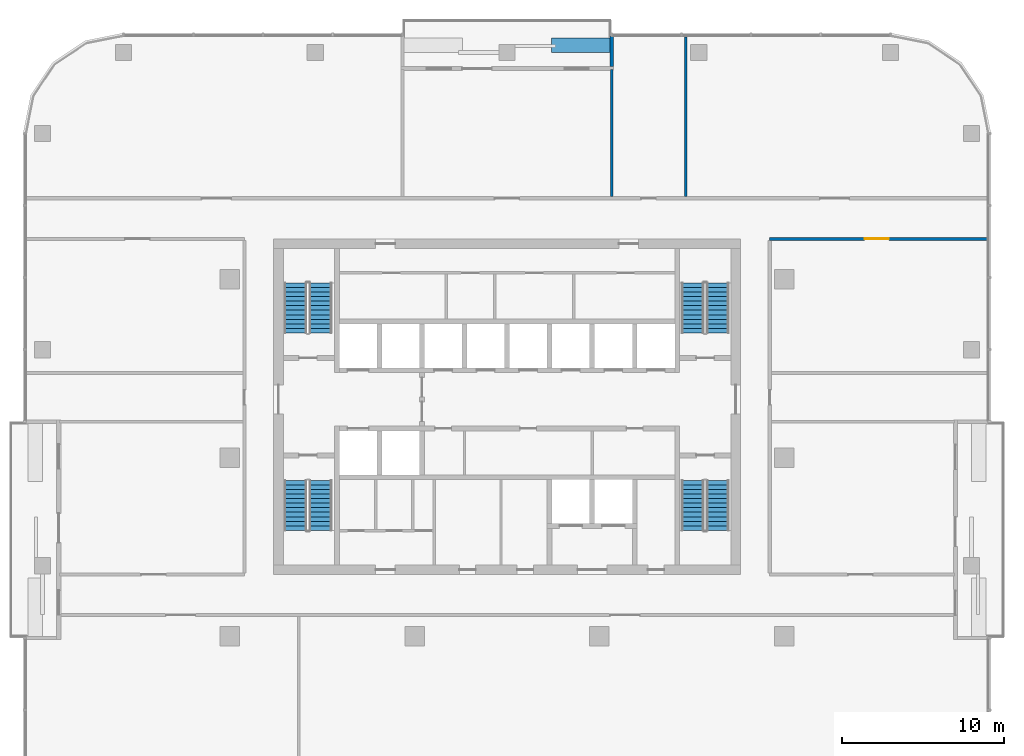
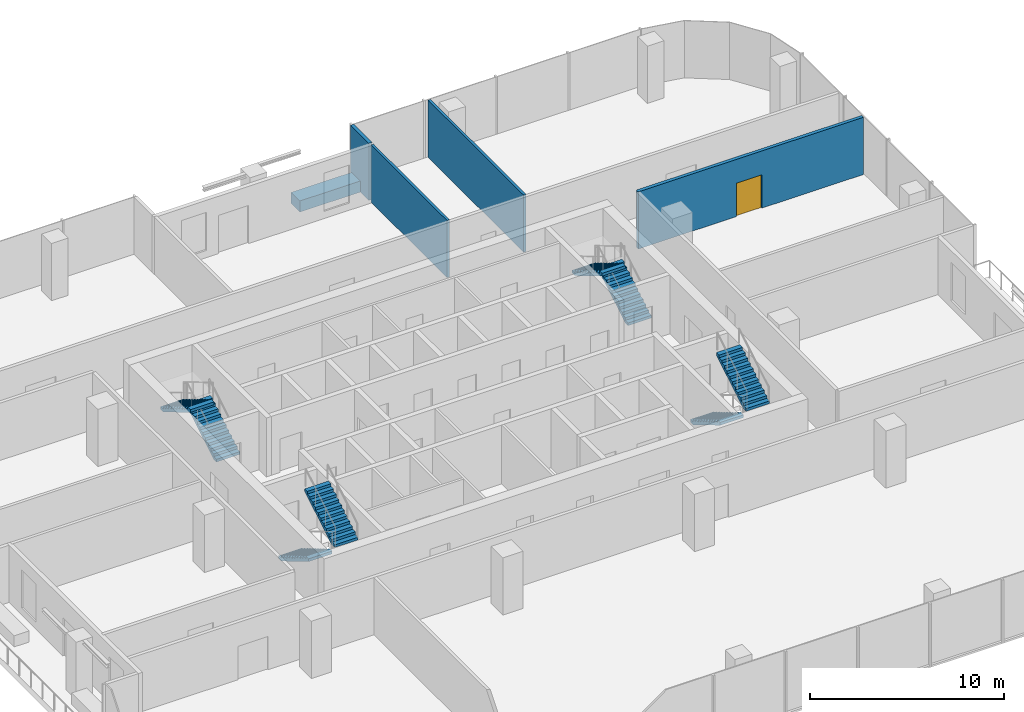
# One storey, part 10 of 13: 8 stair flights, 5 walls, 1 door, 1 opening, 4 elements without a shape of their own.
"""IFC4 building model written with IfcOpenShell, lengths in metres."""

from ifc_helpers import new_model, si_unit, direction, frame, frame_2d, origin, place, context, subcontext, project, spatial, polyline, rectangle, outline, extrude, material, layer, layer_set, type_object, element, fill, aggregate, save


model = new_model("IFC4")

# Units and contexts
model_context = context("Model", 3, precision=1e-05, world=origin(), true_north=direction((0.0, 1.0)))
body_context = subcontext(model_context, "Body", "Model", "MODEL_VIEW")
ifc_project = project(units=[si_unit("LENGTHUNIT", "METRE"), si_unit("AREAUNIT", "SQUARE_METRE"), si_unit("VOLUMEUNIT", "CUBIC_METRE"), si_unit("PLANEANGLEUNIT", "RADIAN"), si_unit("MASSUNIT", "GRAM", prefix="KILO")], contexts=[model_context])

# Site, building, storey
site_placement = place(None, origin())
site = spatial("IfcSite", under=ifc_project, at=site_placement, CompositionType="ELEMENT")
building_placement = place(site_placement, origin())
building = spatial("IfcBuilding", under=site, at=building_placement, Name="Mopane Tessera Tower", CompositionType="ELEMENT")
storey_placement = place(building_placement, frame((0.0, 0.0, 283.39990234375)))
storey = spatial("IfcBuildingStorey", under=building, at=storey_placement, Name="L61", CompositionType="ELEMENT", Elevation=283.39990234375)

# Wall, opening, door
ifc_material_1 = material(Name="Gypsum board on steel studs, two layers each face, mineral wool infill", Category="steel")
ifc_layer_1 = layer(ifc_material_1, 0.199951171875)
ifc_layer_set_1 = layer_set([ifc_layer_1], Name="Gypsum board on steel studs, two layers each face, mineral wool infill")
wall_type_1 = type_object("IfcWallType", Name="Gypsum board corridor wall 200, rated EI 60", PredefinedType="PARTITIONING", material=ifc_layer_set_1)
wall_1_placement = place(storey_placement, frame((16.199951171875, 13.5, 0.0), z_axis=(0.0, 0.0, 1.0), x_axis=(1.0, 0.0, 0.0)))
wall_1 = element("IfcWall", 1, at=wall_1_placement, inside=storey, type_object=wall_type_1, Name="Partition L61:008", PredefinedType="PARTITIONING", context=body_context, shape_type="SweptSolid", body=[
    extrude(rectangle(XDim=13.400146484375, YDim=0.199951171875, at=frame_2d((6.7001953125, 0.0))), origin(), (0.0, 0.0, 1.0), 3.60009765625),
])
opening_placement = place(wall_1_placement, frame((5.85009765625, 0.0, 0.0)))
opening = element("IfcOpeningElement", 2, at=opening_placement, cuts=wall_1, Name="Opening L61-05", PredefinedType="OPENING", context=body_context, shape_type="SweptSolid", body=[
    extrude(rectangle(XDim=1.5, YDim=2.10009765625, at=frame_2d((0.75, 1.050048828125))), frame((0.0, 0.112060546875, 0.0), z_axis=(0.0, -1.0, 0.0), x_axis=(1.0, 0.0, 0.0)), (0.0, 0.0, 1.0), 0.223876953125),
])
ifc_material_2 = material(Name="Timber veneered steel-framed fire door", Category="steel")
door_type = type_object("IfcDoorType", Name="Fire door pair FD60 1500 x 2100", OperationType="DOUBLE_DOOR_SINGLE_SWING", PredefinedType="DOOR", material=ifc_material_2)
door_placement = place(opening_placement, origin())
door = element("IfcDoor", 3, at=door_placement, inside=storey, type_object=door_type, Name="Door L61-05", ObjectType="D17A", OperationType="DOUBLE_DOOR_SINGLE_SWING", OverallHeight=2.10009765625, OverallWidth=1.5, PredefinedType="DOOR", context=body_context, shape_type="SweptSolid", body=[
    extrude(rectangle(XDim=1.5, YDim=2.10009765625, at=frame_2d((0.75, 1.050048828125))), frame((0.0, 0.02490234375, 0.0), z_axis=(0.0, -1.0, 0.0), x_axis=(1.0, 0.0, 0.0)), (0.0, 0.0, 1.0), 0.050048828125),
])
fill(opening, door)

# Walls
ifc_material_3 = material(Name="Gypsum board on steel studs, mineral wool infill", Category="steel")
ifc_layer_2 = layer(ifc_material_3, 0.14990234375)
ifc_layer_set_2 = layer_set([ifc_layer_2], Name="Gypsum board on steel studs, mineral wool infill")
wall_type_2 = type_object("IfcWallType", Name="Gypsum board partition 150, rated EI 60", PredefinedType="PARTITIONING", material=ifc_layer_set_2)
wall_2_placement = place(storey_placement, frame((6.449951171875, 16.10009765625, 0.0), z_axis=(0.0, 0.0, 1.0), x_axis=(0.0, 1.0, 0.0)))
element("IfcWall", 4, at=wall_2_placement, inside=storey, type_object=wall_type_2, Name="Partition L61:013", PredefinedType="PARTITIONING", context=body_context, shape_type="SweptSolid", body=[
    extrude(rectangle(XDim=7.849853515625, YDim=0.14990234375, at=frame_2d((3.9248046875, 0.0))), origin(), (0.0, 0.0, 1.0), 3.60009765625),
])
wall_3_placement = place(storey_placement, frame((11.010009765625, 16.10009765625, 0.0), z_axis=(0.0, 0.0, 1.0), x_axis=(0.0, 1.0, 0.0)))
element("IfcWall", 5, at=wall_3_placement, inside=storey, type_object=wall_type_2, Name="Partition L61:014", PredefinedType="PARTITIONING", context=body_context, shape_type="SweptSolid", body=[
    extrude(rectangle(XDim=9.849853515625, YDim=0.14990234375, at=frame_2d((4.9248046875, 0.0))), origin(), (0.0, 0.0, 1.0), 3.60009765625),
])
ifc_material_4 = material(Name="Reinforced concrete C32/40 with waterproofing", Category="concrete")
ifc_layer_3 = layer(ifc_material_4, 0.89990234375)
ifc_layer_set_3 = layer_set([ifc_layer_3], Name="Reinforced concrete C32/40 with waterproofing")
wall_type_3 = type_object("IfcWallType", Name="Planter trough 3600 x 900", PredefinedType="STANDARD", material=ifc_layer_set_3)
wall_4_placement = place(storey_placement, frame((6.35009765625, 25.449951171875, 0.0), z_axis=(0.0, 0.0, 1.0), x_axis=(-1.0, 0.0, 0.0)))
element("IfcWall", 6, at=wall_4_placement, inside=storey, type_object=wall_type_3, Name="e:nw:L61:N2:pl0", PredefinedType="STANDARD", context=body_context, shape_type="SweptSolid", body=[
    extrude(rectangle(XDim=3.60009765625, YDim=0.89990234375, at=frame_2d((1.800048828125, 0.0))), origin(), (0.0, 0.0, 1.0), 0.7001953125),
])
ifc_material_5 = material(Name="Blockwork with glazed tile facing", Category="masonry")
ifc_layer_4 = layer(ifc_material_5, 0.199951171875)
ifc_layer_set_4 = layer_set([ifc_layer_4], Name="Blockwork with glazed tile facing")
wall_type_4 = type_object("IfcWallType", Name="Terrace cheek wall 200", PredefinedType="STANDARD", material=ifc_layer_set_4)
wall_5_placement = place(storey_placement, frame((6.449951171875, 26.0, 0.0), z_axis=(0.0, 0.0, 1.0), x_axis=(0.0, -1.0, 0.0)))
element("IfcWall", 7, at=wall_5_placement, inside=storey, type_object=wall_type_4, Name="e:nw:L61:N2:cheeka", PredefinedType="STANDARD", context=body_context, shape_type="SweptSolid", body=[
    extrude(rectangle(XDim=1.875, YDim=0.199951171875, at=frame_2d((0.9375, 0.0))), origin(), (0.0, 0.0, 1.0), 3.60009765625),
])

# Stair, stair flights
ifc_material_6 = material(Name="Concrete C50/60", Category="concrete")
stair_type = type_object("IfcStairType", Name="Escape stair 1400 mm, riser 167 mm", PredefinedType="HALF_TURN_STAIR", material=ifc_material_6)
stair_1_placement = place(storey_placement, origin())
stair_1 = element("IfcStair", 8, at=stair_1_placement, inside=storey, type_object=stair_type, Name="L61 Escape stair south-west", PredefinedType="HALF_TURN_STAIR")
ifc_material_7 = material(Name="Concrete C50/60", Category="concrete")
stair_flight_type = type_object("IfcStairFlightType", Name="Escape stair flight 1400 mm", PredefinedType="STRAIGHT", material=ifc_material_7)
stair_flight_1_placement = place(storey_placement, frame((-13.050048828125, -1.39990234375, 0.0), z_axis=(0.0, 0.0, 1.0), x_axis=(0.0, -1.0, 0.0)))
stair_flight_1 = element("IfcStairFlight", 9, at=stair_flight_1_placement, type_object=stair_flight_type, Name="ST1 flight 1", NumberOfRisers=12, NumberOfTreads=11, PredefinedType="STRAIGHT", RiserHeight=0.166666667, TreadLength=0.28, context=body_context, shape_type="SweptSolid", body=[
    extrude(outline(polyline([(0.0, 0.0), (0.0, 0.166748046875), (0.280029296875, 0.166748046875), (0.280029296875, 0.333251953125), (0.56005859375, 0.333251953125), (0.56005859375, 0.5), (0.840087890625, 0.5), (0.840087890625, 0.666748046875), (1.1201171875, 0.666748046875), (1.1201171875, 0.833251953125), (1.39990234375, 0.833251953125), (1.39990234375, 1.0), (1.679931640625, 1.0), (1.679931640625, 1.166748046875), (1.9599609375, 1.166748046875), (1.9599609375, 1.333251953125), (2.239990234375, 1.333251953125), (2.239990234375, 1.5), (2.52001953125, 1.5), (2.52001953125, 1.666748046875), (2.800048828125, 1.666748046875), (2.800048828125, 1.833251953125), (3.080078125, 1.833251953125), (3.080078125, 2.0), (3.080078125, 1.658935546875), (0.29296875, 0.0), (0.0, 0.0)])), frame((0.0, 0.699951171875, 0.0), z_axis=(0.0, -1.0, 0.0), x_axis=(1.0, 0.0, 0.0)), (0.0, 0.0, 1.0), 1.39990234375),
])
stair_flight_2_placement = place(storey_placement, frame((-11.5, -4.47998046875, 2.0), z_axis=(0.0, 0.0, 1.0), x_axis=(0.0, 1.0, 0.0)))
stair_flight_2 = element("IfcStairFlight", 10, at=stair_flight_2_placement, type_object=stair_flight_type, Name="ST1 flight 2", NumberOfRisers=12, NumberOfTreads=11, PredefinedType="STRAIGHT", RiserHeight=0.166666667, TreadLength=0.28, context=body_context, shape_type="SweptSolid", body=[
    extrude(outline(polyline([(0.0, 0.0), (0.0, 0.166748046875), (0.280029296875, 0.166748046875), (0.280029296875, 0.333251953125), (0.56005859375, 0.333251953125), (0.56005859375, 0.5), (0.840087890625, 0.5), (0.840087890625, 0.666748046875), (1.1201171875, 0.666748046875), (1.1201171875, 0.833251953125), (1.39990234375, 0.833251953125), (1.39990234375, 1.0), (1.679931640625, 1.0), (1.679931640625, 1.166748046875), (1.9599609375, 1.166748046875), (1.9599609375, 1.333251953125), (2.239990234375, 1.333251953125), (2.239990234375, 1.5), (2.52001953125, 1.5), (2.52001953125, 1.666748046875), (2.800048828125, 1.666748046875), (2.800048828125, 1.833251953125), (3.080078125, 1.833251953125), (3.080078125, 2.0), (3.080078125, 1.658935546875), (0.29296875, 0.0), (0.0, 0.0)])), frame((0.0, 0.699951171875, 0.0), z_axis=(0.0, -1.0, 0.0), x_axis=(1.0, 0.0, 0.0)), (0.0, 0.0, 1.0), 1.39990234375),
])
aggregate(stair_1, [stair_flight_1, stair_flight_2])

stair_2_placement = place(storey_placement, origin())
stair_2 = element("IfcStair", 11, at=stair_2_placement, inside=storey, type_object=stair_type, Name="L61 Escape stair north-west", PredefinedType="HALF_TURN_STAIR")
stair_flight_3_placement = place(storey_placement, frame((-11.5, 7.699951171875, 0.0), z_axis=(0.0, 0.0, 1.0), x_axis=(0.0, 1.0, 0.0)))
stair_flight_3 = element("IfcStairFlight", 12, at=stair_flight_3_placement, type_object=stair_flight_type, Name="ST2 flight 1", NumberOfRisers=12, NumberOfTreads=11, PredefinedType="STRAIGHT", RiserHeight=0.166666667, TreadLength=0.28, context=body_context, shape_type="SweptSolid", body=[
    extrude(outline(polyline([(0.0, 0.0), (0.0, 0.166748046875), (0.280029296875, 0.166748046875), (0.280029296875, 0.333251953125), (0.56005859375, 0.333251953125), (0.56005859375, 0.5), (0.840087890625, 0.5), (0.840087890625, 0.666748046875), (1.1201171875, 0.666748046875), (1.1201171875, 0.833251953125), (1.39990234375, 0.833251953125), (1.39990234375, 1.0), (1.679931640625, 1.0), (1.679931640625, 1.166748046875), (1.9599609375, 1.166748046875), (1.9599609375, 1.333251953125), (2.239990234375, 1.333251953125), (2.239990234375, 1.5), (2.52001953125, 1.5), (2.52001953125, 1.666748046875), (2.800048828125, 1.666748046875), (2.800048828125, 1.833251953125), (3.080078125, 1.833251953125), (3.080078125, 2.0), (3.080078125, 1.658935546875), (0.29296875, 0.0), (0.0, 0.0)])), frame((0.0, 0.699951171875, 0.0), z_axis=(0.0, -1.0, 0.0), x_axis=(1.0, 0.0, 0.0)), (0.0, 0.0, 1.0), 1.39990234375),
])
stair_flight_4_placement = place(storey_placement, frame((-13.050048828125, 10.780029296875, 2.0), z_axis=(0.0, 0.0, 1.0), x_axis=(0.0, -1.0, 0.0)))
stair_flight_4 = element("IfcStairFlight", 13, at=stair_flight_4_placement, type_object=stair_flight_type, Name="ST2 flight 2", NumberOfRisers=12, NumberOfTreads=11, PredefinedType="STRAIGHT", RiserHeight=0.166666667, TreadLength=0.28, context=body_context, shape_type="SweptSolid", body=[
    extrude(outline(polyline([(0.0, 0.0), (0.0, 0.166748046875), (0.280029296875, 0.166748046875), (0.280029296875, 0.333251953125), (0.56005859375, 0.333251953125), (0.56005859375, 0.5), (0.840087890625, 0.5), (0.840087890625, 0.666748046875), (1.1201171875, 0.666748046875), (1.1201171875, 0.833251953125), (1.39990234375, 0.833251953125), (1.39990234375, 1.0), (1.679931640625, 1.0), (1.679931640625, 1.166748046875), (1.9599609375, 1.166748046875), (1.9599609375, 1.333251953125), (2.239990234375, 1.333251953125), (2.239990234375, 1.5), (2.52001953125, 1.5), (2.52001953125, 1.666748046875), (2.800048828125, 1.666748046875), (2.800048828125, 1.833251953125), (3.080078125, 1.833251953125), (3.080078125, 2.0), (3.080078125, 1.658935546875), (0.29296875, 0.0), (0.0, 0.0)])), frame((0.0, 0.699951171875, 0.0), z_axis=(0.0, -1.0, 0.0), x_axis=(1.0, 0.0, 0.0)), (0.0, 0.0, 1.0), 1.39990234375),
])
aggregate(stair_2, [stair_flight_3, stair_flight_4])

stair_3_placement = place(storey_placement, origin())
stair_3 = element("IfcStair", 14, at=stair_3_placement, inside=storey, type_object=stair_type, Name="L61 Escape stair south-east", PredefinedType="HALF_TURN_STAIR")
stair_flight_5_placement = place(storey_placement, frame((11.449951171875, -1.39990234375, 0.0), z_axis=(0.0, 0.0, 1.0), x_axis=(0.0, -1.0, 0.0)))
stair_flight_5 = element("IfcStairFlight", 15, at=stair_flight_5_placement, type_object=stair_flight_type, Name="ST3 flight 1", NumberOfRisers=12, NumberOfTreads=11, PredefinedType="STRAIGHT", RiserHeight=0.166666667, TreadLength=0.28, context=body_context, shape_type="SweptSolid", body=[
    extrude(outline(polyline([(0.0, 0.0), (0.0, 0.166748046875), (0.280029296875, 0.166748046875), (0.280029296875, 0.333251953125), (0.56005859375, 0.333251953125), (0.56005859375, 0.5), (0.840087890625, 0.5), (0.840087890625, 0.666748046875), (1.1201171875, 0.666748046875), (1.1201171875, 0.833251953125), (1.39990234375, 0.833251953125), (1.39990234375, 1.0), (1.679931640625, 1.0), (1.679931640625, 1.166748046875), (1.9599609375, 1.166748046875), (1.9599609375, 1.333251953125), (2.239990234375, 1.333251953125), (2.239990234375, 1.5), (2.52001953125, 1.5), (2.52001953125, 1.666748046875), (2.800048828125, 1.666748046875), (2.800048828125, 1.833251953125), (3.080078125, 1.833251953125), (3.080078125, 2.0), (3.080078125, 1.658935546875), (0.29296875, 0.0), (0.0, 0.0)])), frame((0.0, 0.699951171875, 0.0), z_axis=(0.0, -1.0, 0.0), x_axis=(1.0, 0.0, 0.0)), (0.0, 0.0, 1.0), 1.39990234375),
])
stair_flight_6_placement = place(storey_placement, frame((13.0, -4.47998046875, 2.0), z_axis=(0.0, 0.0, 1.0), x_axis=(0.0, 1.0, 0.0)))
stair_flight_6 = element("IfcStairFlight", 16, at=stair_flight_6_placement, type_object=stair_flight_type, Name="ST3 flight 2", NumberOfRisers=12, NumberOfTreads=11, PredefinedType="STRAIGHT", RiserHeight=0.166666667, TreadLength=0.28, context=body_context, shape_type="SweptSolid", body=[
    extrude(outline(polyline([(0.0, 0.0), (0.0, 0.166748046875), (0.280029296875, 0.166748046875), (0.280029296875, 0.333251953125), (0.56005859375, 0.333251953125), (0.56005859375, 0.5), (0.840087890625, 0.5), (0.840087890625, 0.666748046875), (1.1201171875, 0.666748046875), (1.1201171875, 0.833251953125), (1.39990234375, 0.833251953125), (1.39990234375, 1.0), (1.679931640625, 1.0), (1.679931640625, 1.166748046875), (1.9599609375, 1.166748046875), (1.9599609375, 1.333251953125), (2.239990234375, 1.333251953125), (2.239990234375, 1.5), (2.52001953125, 1.5), (2.52001953125, 1.666748046875), (2.800048828125, 1.666748046875), (2.800048828125, 1.833251953125), (3.080078125, 1.833251953125), (3.080078125, 2.0), (3.080078125, 1.658935546875), (0.29296875, 0.0), (0.0, 0.0)])), frame((0.0, 0.699951171875, 0.0), z_axis=(0.0, -1.0, 0.0), x_axis=(1.0, 0.0, 0.0)), (0.0, 0.0, 1.0), 1.39990234375),
])
aggregate(stair_3, [stair_flight_5, stair_flight_6])

stair_4_placement = place(storey_placement, origin())
stair_4 = element("IfcStair", 17, at=stair_4_placement, inside=storey, type_object=stair_type, Name="L61 Escape stair north-east", PredefinedType="HALF_TURN_STAIR")
stair_flight_7_placement = place(storey_placement, frame((13.0, 7.699951171875, 0.0), z_axis=(0.0, 0.0, 1.0), x_axis=(0.0, 1.0, 0.0)))
stair_flight_7 = element("IfcStairFlight", 18, at=stair_flight_7_placement, type_object=stair_flight_type, Name="ST4 flight 1", NumberOfRisers=12, NumberOfTreads=11, PredefinedType="STRAIGHT", RiserHeight=0.166666667, TreadLength=0.28, context=body_context, shape_type="SweptSolid", body=[
    extrude(outline(polyline([(0.0, 0.0), (0.0, 0.166748046875), (0.280029296875, 0.166748046875), (0.280029296875, 0.333251953125), (0.56005859375, 0.333251953125), (0.56005859375, 0.5), (0.840087890625, 0.5), (0.840087890625, 0.666748046875), (1.1201171875, 0.666748046875), (1.1201171875, 0.833251953125), (1.39990234375, 0.833251953125), (1.39990234375, 1.0), (1.679931640625, 1.0), (1.679931640625, 1.166748046875), (1.9599609375, 1.166748046875), (1.9599609375, 1.333251953125), (2.239990234375, 1.333251953125), (2.239990234375, 1.5), (2.52001953125, 1.5), (2.52001953125, 1.666748046875), (2.800048828125, 1.666748046875), (2.800048828125, 1.833251953125), (3.080078125, 1.833251953125), (3.080078125, 2.0), (3.080078125, 1.658935546875), (0.29296875, 0.0), (0.0, 0.0)])), frame((0.0, 0.699951171875, 0.0), z_axis=(0.0, -1.0, 0.0), x_axis=(1.0, 0.0, 0.0)), (0.0, 0.0, 1.0), 1.39990234375),
])
stair_flight_8_placement = place(storey_placement, frame((11.449951171875, 10.780029296875, 2.0), z_axis=(0.0, 0.0, 1.0), x_axis=(0.0, -1.0, 0.0)))
stair_flight_8 = element("IfcStairFlight", 19, at=stair_flight_8_placement, type_object=stair_flight_type, Name="ST4 flight 2", NumberOfRisers=12, NumberOfTreads=11, PredefinedType="STRAIGHT", RiserHeight=0.166666667, TreadLength=0.28, context=body_context, shape_type="SweptSolid", body=[
    extrude(outline(polyline([(0.0, 0.0), (0.0, 0.166748046875), (0.280029296875, 0.166748046875), (0.280029296875, 0.333251953125), (0.56005859375, 0.333251953125), (0.56005859375, 0.5), (0.840087890625, 0.5), (0.840087890625, 0.666748046875), (1.1201171875, 0.666748046875), (1.1201171875, 0.833251953125), (1.39990234375, 0.833251953125), (1.39990234375, 1.0), (1.679931640625, 1.0), (1.679931640625, 1.166748046875), (1.9599609375, 1.166748046875), (1.9599609375, 1.333251953125), (2.239990234375, 1.333251953125), (2.239990234375, 1.5), (2.52001953125, 1.5), (2.52001953125, 1.666748046875), (2.800048828125, 1.666748046875), (2.800048828125, 1.833251953125), (3.080078125, 1.833251953125), (3.080078125, 2.0), (3.080078125, 1.658935546875), (0.29296875, 0.0), (0.0, 0.0)])), frame((0.0, 0.699951171875, 0.0), z_axis=(0.0, -1.0, 0.0), x_axis=(1.0, 0.0, 0.0)), (0.0, 0.0, 1.0), 1.39990234375),
])
aggregate(stair_4, [stair_flight_7, stair_flight_8])

save(model, "model.ifc")
